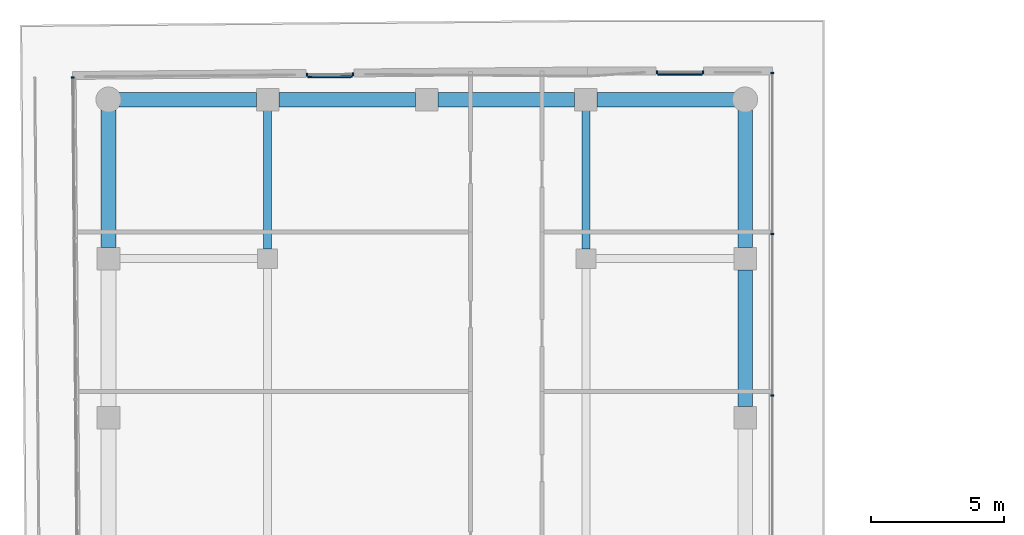
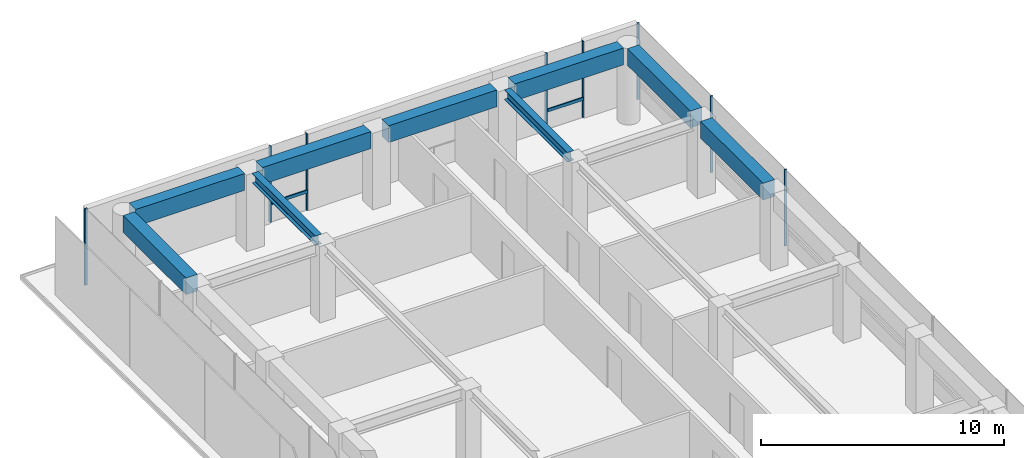
# One storey, part 13 of 19: 10 members, 9 beams, 4 elements without a shape of their own.
"""IFC4 building model written with IfcOpenShell, lengths in metres."""

from ifc_helpers import new_model, si_unit, direction, frame, origin, origin_2d, place, context, subcontext, project, spatial, rectangle, i_section, extrude, material, layer, layer_set, material_profile, profile_set, type_object, element, aggregate, save


model = new_model("IFC4")

# Units and contexts
model_context = context("Model", 3, precision=1e-05, world=origin(), true_north=direction((0.0, 1.0)))
body_context = subcontext(model_context, "Body", "Model", "MODEL_VIEW")
ifc_project = project(units=[si_unit("LENGTHUNIT", "METRE"), si_unit("AREAUNIT", "SQUARE_METRE"), si_unit("VOLUMEUNIT", "CUBIC_METRE"), si_unit("PLANEANGLEUNIT", "RADIAN"), si_unit("MASSUNIT", "GRAM", prefix="KILO")], contexts=[model_context])

# Site, building, storey
site_placement = place(None, origin())
site = spatial("IfcSite", under=ifc_project, at=site_placement, CompositionType="ELEMENT")
building_placement = place(site_placement, origin())
building = spatial("IfcBuilding", under=site, at=building_placement, Name="Welwitschia Terrace Campus", CompositionType="ELEMENT")
storey_placement = place(building_placement, frame((0.0, 0.0, 171.800048828125)))
storey = spatial("IfcBuildingStorey", under=building, at=storey_placement, Name="L38", CompositionType="ELEMENT", Elevation=171.800048828125)

# Beams
ifc_material_1 = material(Name="Steel S355", Category="steel")
ifc_material_profile_1 = material_profile(ifc_material_1, i_section(OverallWidth=0.300048828125, OverallDepth=0.489990234375, WebThickness=0.011962890625, FlangeThickness=0.02294921875, FilletRadius=0.027099609375, at=origin_2d()))
ifc_profile_set_1 = profile_set([ifc_material_profile_1], Name="Steel S355")
beam_type_1 = type_object("IfcBeamType", Name="Interior girder HE 500 A", PredefinedType="BEAM", material=ifc_profile_set_1)
for number, where, z_axis, x_axis, name in (
    (1, (6.0, 56.37548828125, 3.60498046875), (0.0, 1.0, 0.0), (-1.0, 0.0, 0.0), "Girder GB4"),
    (2, (18.0, 56.37548828125, 3.60498046875), (0.0, 1.0, 0.0), (-1.0, 0.0, 0.0), "Girder GB4"),
):
    element("IfcBeam", number, at=place(storey_placement, frame(where, z_axis=z_axis, x_axis=x_axis)), inside=storey, type_object=beam_type_1, Name=name, PredefinedType="BEAM", context=body_context, shape_type="SweptSolid", body=[
        extrude(i_section(OverallWidth=0.300048828125, OverallDepth=0.489990234375, WebThickness=0.011962890625, FlangeThickness=0.02294921875, FilletRadius=0.027099609375, at=origin_2d()), origin(), (0.0, 0.0, 1.0), 5.208984375),
    ])

# Curtain wall, member
ifc_material_2 = material(Name="Bronze anodised aluminium", Category="aluminium")
ifc_layer = layer(ifc_material_2, 0.1201171875)
ifc_layer_set = layer_set([ifc_layer], Name="Bronze anodised aluminium")
curtain_wall_type = type_object("IfcCurtainWallType", Name="Curtain wall CW2 tower 6000", PredefinedType="NOTDEFINED", material=ifc_layer_set)
curtain_wall_1_placement = place(storey_placement, origin())
curtain_wall_1 = element("IfcCurtainWall", 3, at=curtain_wall_1_placement, inside=storey, type_object=curtain_wall_type, Name="CW L38.0.0", PredefinedType="NOTDEFINED")
ifc_material_3 = material(Name="Bronze anodised aluminium", Category="aluminium")
ifc_material_profile_2 = material_profile(ifc_material_3, rectangle(XDim=0.1201171875, YDim=0.06005859375, at=origin_2d()))
ifc_profile_set_2 = profile_set([ifc_material_profile_2], Name="Bronze anodised aluminium")
member_type_1 = type_object("IfcMemberType", Name="Mullion 60x120", PredefinedType="MULLION", material=ifc_profile_set_2)
member_1_placement = place(storey_placement, frame((-1.34814453125, 62.83056640625, 0.0), z_axis=(0.0, 0.0, 1.0), x_axis=(0.999961923064, 0.008726535498, 0.0)))
member_1 = element("IfcMember", 4, at=member_1_placement, type_object=member_type_1, Name="Mullion L38.0.0.0", PredefinedType="MULLION", context=body_context, shape_type="SweptSolid", body=[
    extrude(rectangle(XDim=0.1201171875, YDim=0.06005859375, at=origin_2d()), origin(), (0.0, 0.0, 1.0), 3.849853515625),
])
aggregate(curtain_wall_1, [member_1])

# Curtain wall, members
curtain_wall_2_placement = place(storey_placement, origin())
curtain_wall_2 = element("IfcCurtainWall", 5, at=curtain_wall_2_placement, inside=storey, type_object=curtain_wall_type, Name="CW L38.10.0", PredefinedType="NOTDEFINED")
member_2_placement = place(storey_placement, frame((25.030029296875, 50.8486328125, 0.0), z_axis=(0.0, 0.0, 1.0), x_axis=(-1.0, 0.0, 0.0)))
member_2 = element("IfcMember", 6, at=member_2_placement, type_object=member_type_1, Name="Mullion L38.10.0.4", PredefinedType="MULLION", context=body_context, shape_type="SweptSolid", body=[
    extrude(rectangle(XDim=0.1201171875, YDim=0.06005859375, at=origin_2d()), origin(), (0.0, 0.0, 1.0), 3.849853515625),
])
member_3_placement = place(storey_placement, frame((25.030029296875, 56.939453125, 0.0), z_axis=(0.0, 0.0, 1.0), x_axis=(-1.0, 0.0, 0.0)))
member_3 = element("IfcMember", 7, at=member_3_placement, type_object=member_type_1, Name="Mullion L38.10.0.5", PredefinedType="MULLION", context=body_context, shape_type="SweptSolid", body=[
    extrude(rectangle(XDim=0.1201171875, YDim=0.06005859375, at=origin_2d()), origin(), (0.0, 0.0, 1.0), 3.849853515625),
])
member_4_placement = place(storey_placement, frame((25.030029296875, 63.0, 0.0), z_axis=(0.0, 0.0, 1.0), x_axis=(-1.0, 0.0, 0.0)))
member_4 = element("IfcMember", 8, at=member_4_placement, type_object=member_type_1, Name="Mullion L38.10.0.6", PredefinedType="MULLION", context=body_context, shape_type="SweptSolid", body=[
    extrude(rectangle(XDim=0.1201171875, YDim=0.06005859375, at=origin_2d()), origin(), (0.0, 0.0, 1.0), 3.849853515625),
])
aggregate(curtain_wall_2, [member_2, member_3, member_4])

curtain_wall_3_placement = place(storey_placement, origin())
curtain_wall_3 = element("IfcCurtainWall", 9, at=curtain_wall_3_placement, inside=storey, type_object=curtain_wall_type, Name="CW L38.11.S0", PredefinedType="NOTDEFINED")
member_5_placement = place(storey_placement, frame((22.412353515625, 63.030029296875, 0.0), z_axis=(0.0, 0.0, 1.0), x_axis=(0.0, -1.0, 0.0)))
member_5 = element("IfcMember", 10, at=member_5_placement, type_object=member_type_1, Name="Mullion L38.11.S0.0", PredefinedType="MULLION", context=body_context, shape_type="SweptSolid", body=[
    extrude(rectangle(XDim=0.1201171875, YDim=0.06005859375, at=origin_2d()), origin(), (0.0, 0.0, 1.0), 3.849853515625),
])
member_6_placement = place(storey_placement, frame((20.67236328125, 63.030029296875, 0.0), z_axis=(0.0, 0.0, 1.0), x_axis=(0.0, -1.0, 0.0)))
member_6 = element("IfcMember", 11, at=member_6_placement, type_object=member_type_1, Name="Mullion L38.11.S0.1", PredefinedType="MULLION", context=body_context, shape_type="SweptSolid", body=[
    extrude(rectangle(XDim=0.1201171875, YDim=0.06005859375, at=origin_2d()), origin(), (0.0, 0.0, 1.0), 3.849853515625),
])

curtain_wall_4_placement = place(storey_placement, origin())
curtain_wall_4 = element("IfcCurtainWall", 12, at=curtain_wall_4_placement, inside=storey, type_object=curtain_wall_type, Name="CW L38.12.S0", PredefinedType="NOTDEFINED")
member_7_placement = place(storey_placement, frame((9.222900390625, 62.952880859375, 0.0), z_axis=(0.0, 0.0, 1.0), x_axis=(0.008726535498, -0.999961923064, 0.0)))
member_7 = element("IfcMember", 13, at=member_7_placement, type_object=member_type_1, Name="Mullion L38.12.S0.0", PredefinedType="MULLION", context=body_context, shape_type="SweptSolid", body=[
    extrude(rectangle(XDim=0.1201171875, YDim=0.06005859375, at=origin_2d()), origin(), (0.0, 0.0, 1.0), 3.849853515625),
])
member_8_placement = place(storey_placement, frame((7.48291015625, 62.937744140625, 0.0), z_axis=(0.0, 0.0, 1.0), x_axis=(0.008726535498, -0.999961923064, 0.0)))
member_8 = element("IfcMember", 14, at=member_8_placement, type_object=member_type_1, Name="Mullion L38.12.S0.1", PredefinedType="MULLION", context=body_context, shape_type="SweptSolid", body=[
    extrude(rectangle(XDim=0.1201171875, YDim=0.06005859375, at=origin_2d()), origin(), (0.0, 0.0, 1.0), 3.849853515625),
])

# Beams
ifc_material_4 = material(Name="Concrete C50/60", Category="concrete")
ifc_material_profile_3 = material_profile(ifc_material_4, rectangle(XDim=0.550048828125, YDim=0.85009765625, at=origin_2d()))
ifc_profile_set_3 = profile_set([ifc_material_profile_3], Name="Concrete C50/60")
beam_type_2 = type_object("IfcBeamType", Name="Ring spandrel 550x850", PredefinedType="SPANDREL", material=ifc_profile_set_3)
beam_placement = place(storey_placement, frame((24.0, 50.425537109375, 3.425048828125), z_axis=(0.0, 1.0, 0.0), x_axis=(-1.0, 0.0, 0.0)))
element("IfcBeam", 15, at=beam_placement, inside=storey, type_object=beam_type_2, Name="Spandrel SP3", PredefinedType="SPANDREL", context=body_context, shape_type="SweptSolid", body=[
    extrude(rectangle(XDim=0.550048828125, YDim=0.85009765625, at=origin_2d()), origin(), (0.0, 0.0, 1.0), 5.14892578125),
])
for number, where, z_axis, x_axis, name in (
    (16, (24.0, 56.425537109375, 3.425048828125), (0.0, 1.0, 0.0), (-1.0, 0.0, 0.0), "Spandrel SP3"),
    (17, (23.612060546875, 62.0, 3.425048828125), (-1.0, 0.0, 0.0), (0.0, -1.0, 0.0), "Spandrel SP3"),
):
    element("IfcBeam", number, at=place(storey_placement, frame(where, z_axis=z_axis, x_axis=x_axis)), inside=storey, type_object=beam_type_2, Name=name, PredefinedType="SPANDREL", context=body_context, shape_type="SweptSolid", body=[
        extrude(rectangle(XDim=0.550048828125, YDim=0.85009765625, at=origin_2d()), origin(), (0.0, 0.0, 1.0), 5.1865234375),
    ])
for number, where, z_axis, x_axis, name in (
    (18, (17.574462890625, 62.0, 3.425048828125), (-1.0, 0.0, 0.0), (0.0, -1.0, 0.0), "Spandrel SP3"),
    (19, (11.574462890625, 62.0, 3.425048828125), (-1.0, 0.0, 0.0), (0.0, -1.0, 0.0), "Spandrel SP3"),
):
    element("IfcBeam", number, at=place(storey_placement, frame(where, z_axis=z_axis, x_axis=x_axis)), inside=storey, type_object=beam_type_2, Name=name, PredefinedType="SPANDREL", context=body_context, shape_type="SweptSolid", body=[
        extrude(rectangle(XDim=0.550048828125, YDim=0.85009765625, at=origin_2d()), origin(), (0.0, 0.0, 1.0), 5.14892578125),
    ])
for number, where, z_axis, x_axis, name in (
    (20, (5.574462890625, 62.0, 3.425048828125), (-1.0, 0.0, 0.0), (0.0, -1.0, 0.0), "Spandrel SP3"),
    (21, (0.0, 61.612060546875, 3.425048828125), (0.0, -1.0, 0.0), (1.0, 0.0, 0.0), "Spandrel SP3"),
):
    element("IfcBeam", number, at=place(storey_placement, frame(where, z_axis=z_axis, x_axis=x_axis)), inside=storey, type_object=beam_type_2, Name=name, PredefinedType="SPANDREL", context=body_context, shape_type="SweptSolid", body=[
        extrude(rectangle(XDim=0.550048828125, YDim=0.85009765625, at=origin_2d()), origin(), (0.0, 0.0, 1.0), 5.1865234375),
    ])

# Member
ifc_material_5 = material(Name="Bronze anodised aluminium", Category="aluminium")
ifc_material_profile_4 = material_profile(ifc_material_5, rectangle(XDim=0.06005859375, YDim=0.14990234375, at=origin_2d()))
ifc_profile_set_4 = profile_set([ifc_material_profile_4], Name="Bronze anodised aluminium")
member_type_2 = type_object("IfcMemberType", Name="Transom 60x150", PredefinedType="USERDEFINED", material=ifc_profile_set_4)
member_9_placement = place(storey_placement, frame((22.38232421875, 62.93994140625, 1.0), z_axis=(-1.0, 0.0, 0.0), x_axis=(0.0, -1.0, 0.0)))
member_9 = element("IfcMember", 22, at=member_9_placement, type_object=member_type_2, Name="Transom L38.11.S0", ObjectType="TRANSOM", PredefinedType="USERDEFINED", context=body_context, shape_type="SweptSolid", body=[
    extrude(rectangle(XDim=0.06005859375, YDim=0.14990234375, at=origin_2d()), origin(), (0.0, 0.0, 1.0), 1.68017578125),
])

aggregate(curtain_wall_3, [member_5, member_6, member_9])

member_10_placement = place(storey_placement, frame((9.19384765625, 62.862548828125, 1.0), z_axis=(-0.999961985908, -0.00871933137, 0.0), x_axis=(0.00871933137, -0.999961985908, 0.0)))
member_10 = element("IfcMember", 23, at=member_10_placement, type_object=member_type_2, Name="Transom L38.12.S0", ObjectType="TRANSOM", PredefinedType="USERDEFINED", context=body_context, shape_type="SweptSolid", body=[
    extrude(rectangle(XDim=0.06005859375, YDim=0.14990234375, at=origin_2d()), origin(), (0.0, 0.0, 1.0), 1.679931640625),
])

aggregate(curtain_wall_4, [member_7, member_8, member_10])

save(model, "model.ifc")
